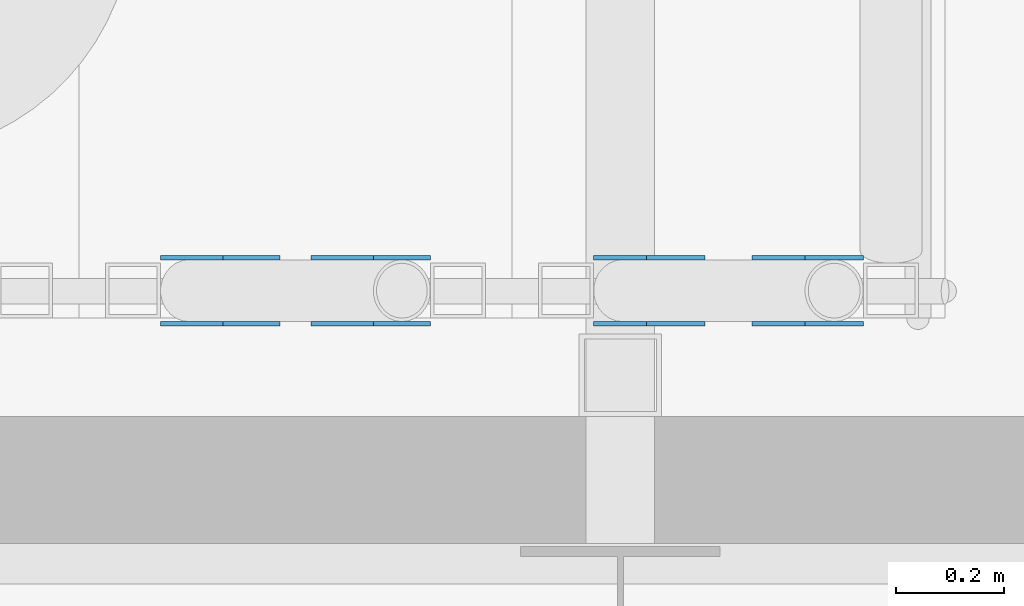
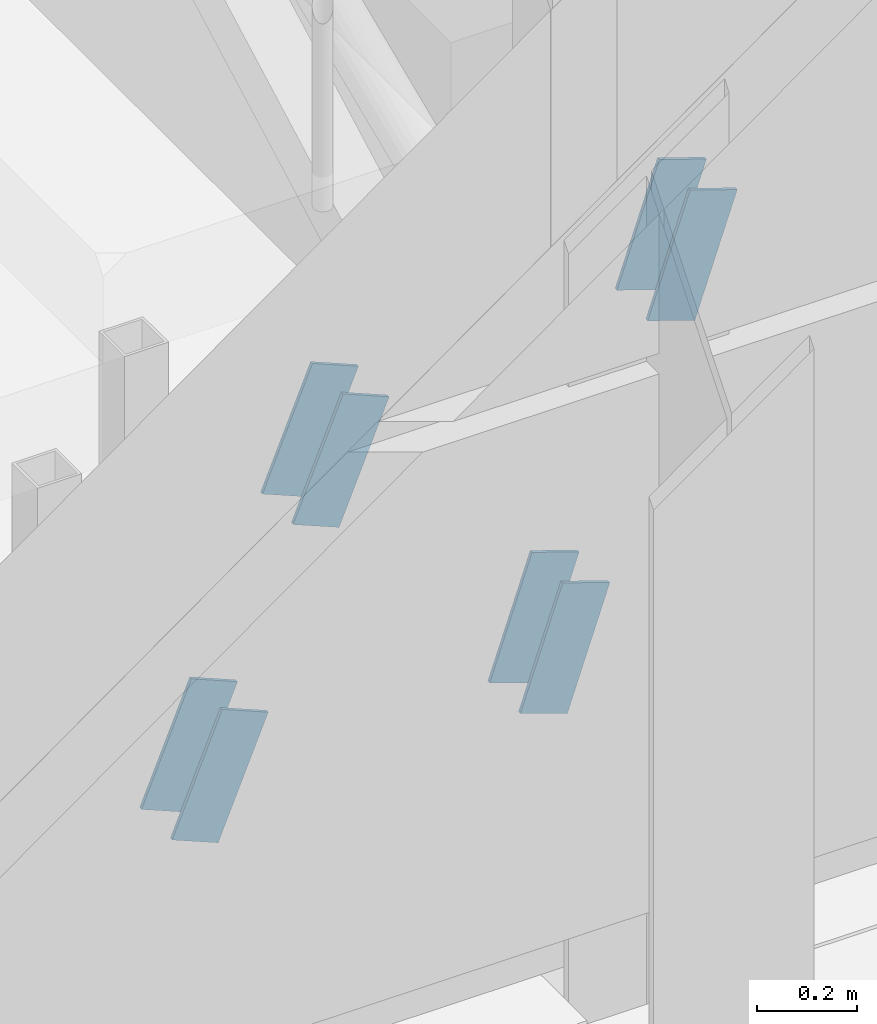
# One storey, part 104 of 139: 8 discrete accessories.
"""IFC4 building model written with IfcOpenShell, lengths in metres."""

from ifc_helpers import new_model, si_unit, direction, frame, origin, origin_2d, place, context, subcontext, project, spatial, rectangle, extrude, material, material_profile, profile_set, type_object, element, save


model = new_model("IFC4")

# Units and contexts
model_context = context("Model", 3, precision=1e-05, world=origin(), true_north=direction((0.0, 1.0)))
body_context = subcontext(model_context, "Body", "Model", "MODEL_VIEW")
ifc_project = project(units=[si_unit("LENGTHUNIT", "METRE"), si_unit("AREAUNIT", "SQUARE_METRE"), si_unit("VOLUMEUNIT", "CUBIC_METRE"), si_unit("PLANEANGLEUNIT", "RADIAN"), si_unit("MASSUNIT", "GRAM", prefix="KILO")], contexts=[model_context])

# Site, building, storey
site_placement = place(None, origin())
site = spatial("IfcSite", under=ifc_project, at=site_placement, CompositionType="ELEMENT")
building_placement = place(site_placement, origin())
building = spatial("IfcBuilding", under=site, at=building_placement, Name="Verrick Yard Athletic Hall", CompositionType="ELEMENT")
storey_placement = place(building_placement, origin())
storey = spatial("IfcBuildingStorey", under=building, at=storey_placement, Name="L00", CompositionType="ELEMENT", Elevation=0.0)

# Discrete accessories
ifc_material = material(Name="Structural steel 350W (CSA G40.21)", Category="steel")
ifc_material_profile = material_profile(ifc_material, rectangle(XDim=0.300048828125, YDim=0.1142578125, at=origin_2d()), Name="Brace end cheek plate")
ifc_profile_set = profile_set([ifc_material_profile], Name="Structural steel 350W (CSA G40.21)")
discrete_accessory_type = type_object("IfcDiscreteAccessoryType", Name="Brace end cheek plate 300x114x8", PredefinedType="BRACKET", material=ifc_profile_set)
for number, where, z_axis, x_axis, name in (
    (1, (168.861083984375, 72.7080078125, 0.41552734375), (0.0, 1.0, 0.0), (0.38356594195, 0.0, 0.923513491063), "Seating brace end plate RSA2-a7 1"),
    (2, (168.861083984375, 72.59375, 0.41552734375), (0.0, -1.0, 0.0), (0.38356594195, 0.0, 0.923513491063), "Seating brace end plate RSA2-a7 2"),
    (3, (169.138916015625, 72.59375, 1.08447265625), (0.0, -1.0, 0.0), (-0.38356594195, 0.0, -0.923513491063), "Seating brace end plate RSA2-a7 1"),
    (4, (169.138916015625, 72.7080078125, 1.08447265625), (0.0, 1.0, 0.0), (-0.38356594195, 0.0, -0.923513491063), "Seating brace end plate RSA2-a7 2"),
    (5, (169.653564453125, 72.7080078125, 0.448974609375), (0.0, 1.0, 0.0), (0.325057902003, 0.0, 0.945694115634), "Seating brace end plate RSA2-a8 1"),
    (6, (169.653564453125, 72.59375, 0.448974609375), (0.0, -1.0, 0.0), (0.325057902003, 0.0, 0.945694115634), "Seating brace end plate RSA2-a8 2"),
    (7, (169.9462890625, 72.59375, 1.301025390625), (0.0, -1.0, 0.0), (-0.325057902003, 0.0, -0.945694115634), "Seating brace end plate RSA2-a8 1"),
    (8, (169.9462890625, 72.7080078125, 1.301025390625), (0.0, 1.0, 0.0), (-0.325057902003, 0.0, -0.945694115634), "Seating brace end plate RSA2-a8 2"),
):
    element("IfcDiscreteAccessory", number, at=place(storey_placement, frame(where, z_axis=z_axis, x_axis=x_axis)), inside=storey, type_object=discrete_accessory_type, Name=name, PredefinedType="BRACKET", context=body_context, shape_type="SweptSolid", body=[
        extrude(rectangle(XDim=0.300048828125, YDim=0.1142578125, at=origin_2d()), origin(), (0.0, 0.0, 1.0), 0.008056640625),
    ])

save(model, "model.ifc")
